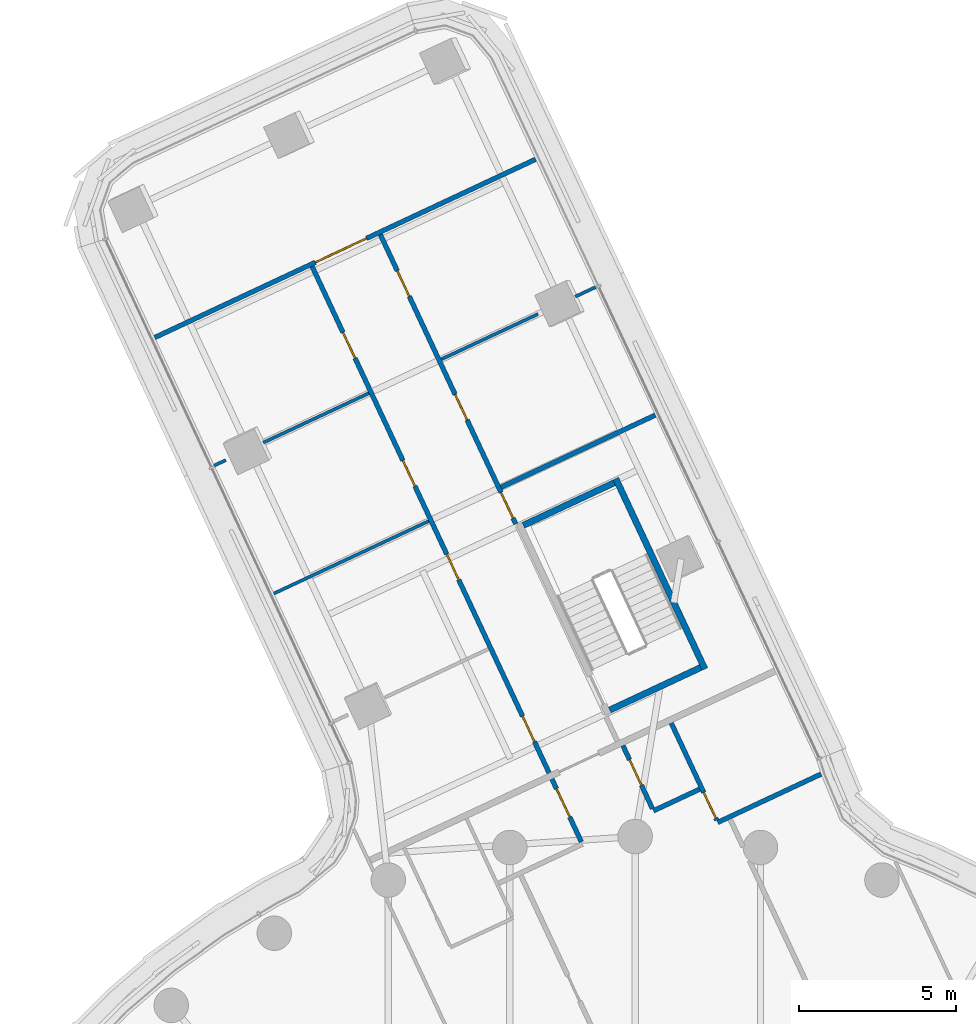
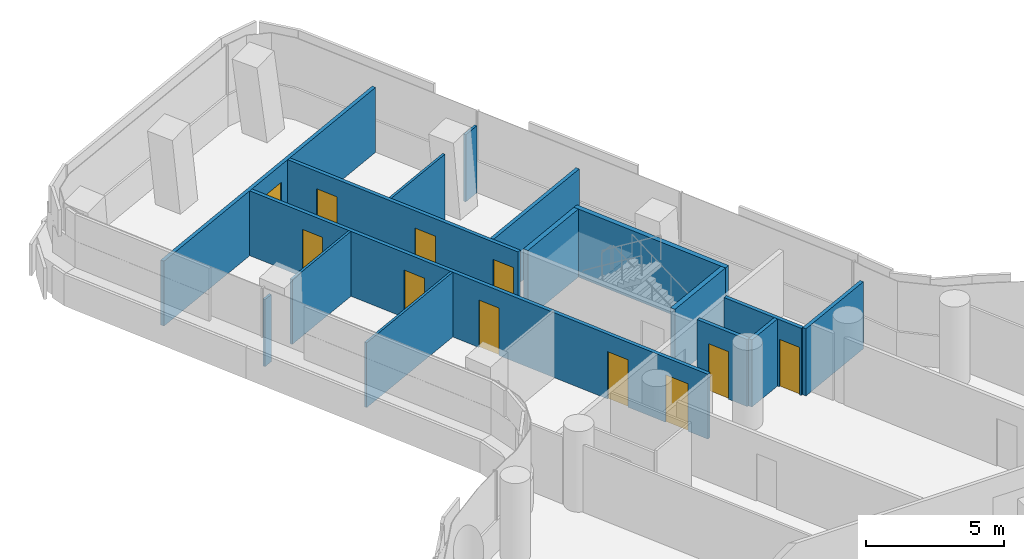
# One storey, part 27 of 36: 16 walls, 11 doors, 11 openings.
"""IFC4 building model written with IfcOpenShell, lengths in metres."""

from ifc_helpers import new_model, si_unit, direction, frame, frame_2d, origin, place, context, subcontext, project, spatial, polyline, rectangle, outline, extrude, material, layer, layer_set, type_object, element, fill, save


model = new_model("IFC4")

# Units and contexts
model_context = context("Model", 3, precision=1e-05, world=origin(), true_north=direction((0.0, 1.0)))
body_context = subcontext(model_context, "Body", "Model", "MODEL_VIEW")
ifc_project = project(units=[si_unit("LENGTHUNIT", "METRE"), si_unit("AREAUNIT", "SQUARE_METRE"), si_unit("VOLUMEUNIT", "CUBIC_METRE"), si_unit("PLANEANGLEUNIT", "RADIAN"), si_unit("MASSUNIT", "GRAM", prefix="KILO")], contexts=[model_context])

# Site, building, storey
site_placement = place(None, origin())
site = spatial("IfcSite", under=ifc_project, at=site_placement, CompositionType="ELEMENT")
building_placement = place(site_placement, origin())
building = spatial("IfcBuilding", under=site, at=building_placement, Name="Tamarind Cross Interchange Tower", CompositionType="ELEMENT")
storey_placement = place(building_placement, frame((0.0, 0.0, 124.75)))
storey = spatial("IfcBuildingStorey", under=building, at=storey_placement, Name="L30", CompositionType="ELEMENT", Elevation=124.75)

# Walls
ifc_material_1 = material(Name="Gypsum board partition on steel studs", Category="steel")
ifc_layer_1 = layer(ifc_material_1, 0.10009765625)
ifc_layer_set_1 = layer_set([ifc_layer_1], Name="Gypsum board partition on steel studs")
wall_type_1 = type_object("IfcWallType", Name="Partition 100 mm EI 90", PredefinedType="PARTITIONING", material=ifc_layer_set_1)
wall_1_placement = place(storey_placement, frame((-13.412841796875, 34.82470703125, 0.0), z_axis=(0.0, 0.0, 1.0), x_axis=(0.905846575119, 0.423605928127, 0.0)))
element("IfcWall", 1, at=wall_1_placement, inside=storey, type_object=wall_type_1, Name="Partition L30-051", PredefinedType="PARTITIONING", context=body_context, shape_type="SweptSolid", body=[
    extrude(rectangle(XDim=0.407958984375, YDim=0.10009765625, at=frame_2d((0.2041015625, 0.0))), origin(), (0.0, 0.0, 1.0), 2.969970703125),
])
wall_2_placement = place(storey_placement, frame((-11.852294921875, 35.5546875, 0.0), z_axis=(0.0, 0.0, 1.0), x_axis=(0.905779849786, 0.423748585511, 0.0)))
element("IfcWall", 2, at=wall_2_placement, inside=storey, type_object=wall_type_1, Name="Partition L30-052", PredefinedType="PARTITIONING", context=body_context, shape_type="SweptSolid", body=[
    extrude(rectangle(XDim=3.715576171875, YDim=0.10009765625, at=frame_2d((1.85791015625, 0.0))), origin(), (0.0, 0.0, 1.0), 2.8701171875),
])
wall_3_placement = place(storey_placement, frame((-6.177001953125, 38.2099609375, 0.0), z_axis=(0.0, 0.0, 1.0), x_axis=(0.905768212008, 0.423773460845, 0.0)))
element("IfcWall", 3, at=wall_3_placement, inside=storey, type_object=wall_type_1, Name="Partition L30-053", PredefinedType="PARTITIONING", context=body_context, shape_type="SweptSolid", body=[
    extrude(rectangle(XDim=3.40087890625, YDim=0.10009765625, at=frame_2d((1.700439453125, 0.0))), origin(), (0.0, 0.0, 1.0), 2.8701171875),
])
wall_4_placement = place(storey_placement, frame((-1.906005859375, 40.208251953125, 0.0), z_axis=(0.0, 0.0, 1.0), x_axis=(0.905769019078, 0.423771735818, 0.0)))
element("IfcWall", 4, at=wall_4_placement, inside=storey, type_object=wall_type_1, Name="Partition L30-054", PredefinedType="PARTITIONING", context=body_context, shape_type="SweptSolid", body=[
    extrude(rectangle(XDim=0.708740234375, YDim=0.10009765625, at=frame_2d((0.3544921875, 0.0))), origin(), (0.0, 0.0, 1.0), 2.969970703125),
])
wall_5_placement = place(storey_placement, frame((-11.51318359375, 30.745361328125, 0.0), z_axis=(0.0, 0.0, 1.0), x_axis=(0.905786512013, 0.423734344438, 0.0)))
element("IfcWall", 5, at=wall_5_placement, inside=storey, type_object=wall_type_1, Name="Partition L30-056", PredefinedType="PARTITIONING", context=body_context, shape_type="SweptSolid", body=[
    extrude(rectangle(XDim=5.446533203125, YDim=0.10009765625, at=frame_2d((2.72314453125, 0.0))), origin(), (0.0, 0.0, 1.0), 2.8701171875),
])

# Wall, openings, doors
ifc_layer_2 = layer(ifc_material_1, 0.14990234375)
ifc_layer_set_2 = layer_set([ifc_layer_2], Name="Gypsum board partition on steel studs")
wall_type_2 = type_object("IfcWallType", Name="Partition 150 mm EI 120", PredefinedType="PARTITIONING", material=ifc_layer_set_2)
wall_6_placement = place(storey_placement, frame((-10.294189453125, 41.169189453125, 0.0), z_axis=(0.0, 0.0, 1.0), x_axis=(0.423769207005, -0.905770202201, 0.0)))
wall_6 = element("IfcWall", 6, at=wall_6_placement, inside=storey, type_object=wall_type_2, Name="Partition L30-008", PredefinedType="PARTITIONING", context=body_context, shape_type="SweptSolid", body=[
    extrude(rectangle(XDim=20.245849609375, YDim=0.14990234375, at=frame_2d((10.123046875, 0.0))), origin(), (0.0, 0.0, 1.0), 2.8701171875),
])
opening_1_placement = place(wall_6_placement, frame((18.37548828125, 0.0, 0.0)))
opening_1 = element("IfcOpeningElement", 7, at=opening_1_placement, cuts=wall_6, Name="Opening D03", PredefinedType="OPENING", context=body_context, shape_type="SweptSolid", body=[
    extrude(rectangle(XDim=1.0, YDim=2.10009765625, at=frame_2d((0.5, 1.050048828125))), frame((0.0, 0.0849609375, 0.0), z_axis=(0.0, -1.0, 0.0), x_axis=(1.0, 0.0, 0.0)), (0.0, 0.0, 1.0), 0.169921875),
])
opening_2_placement = place(wall_6_placement, frame((15.8251953125, 0.0, 0.0)))
opening_2 = element("IfcOpeningElement", 8, at=opening_2_placement, cuts=wall_6, Name="Opening D04", PredefinedType="OPENING", context=body_context, shape_type="SweptSolid", body=[
    extrude(rectangle(XDim=0.89990234375, YDim=2.10009765625, at=frame_2d((0.449951171875, 1.050048828125))), frame((0.0, 0.0849609375, 0.0), z_axis=(0.0, -1.0, 0.0), x_axis=(1.0, 0.0, 0.0)), (0.0, 0.0, 1.0), 0.169921875),
])
opening_3_placement = place(wall_6_placement, frame((10.125, 0.0, 0.0)))
opening_3 = element("IfcOpeningElement", 9, at=opening_3_placement, cuts=wall_6, Name="Opening D05", PredefinedType="OPENING", context=body_context, shape_type="SweptSolid", body=[
    extrude(rectangle(XDim=0.89990234375, YDim=2.10009765625, at=frame_2d((0.449951171875, 1.050048828125))), frame((0.0, 0.0849609375, 0.0), z_axis=(0.0, -1.0, 0.0), x_axis=(1.0, 0.0, 0.0)), (0.0, 0.0, 1.0), 0.169921875),
])
opening_4_placement = place(wall_6_placement, frame((6.824951171875, 0.0, 0.0)))
opening_4 = element("IfcOpeningElement", 10, at=opening_4_placement, cuts=wall_6, Name="Opening D06", PredefinedType="OPENING", context=body_context, shape_type="SweptSolid", body=[
    extrude(rectangle(XDim=0.89990234375, YDim=2.10009765625, at=frame_2d((0.449951171875, 1.050048828125))), frame((0.0, 0.0849609375, 0.0), z_axis=(0.0, -1.0, 0.0), x_axis=(1.0, 0.0, 0.0)), (0.0, 0.0, 1.0), 0.169921875),
])
opening_5_placement = place(wall_6_placement, frame((2.324951171875, 0.0, 0.0)))
opening_5 = element("IfcOpeningElement", 11, at=opening_5_placement, cuts=wall_6, Name="Opening D07", PredefinedType="OPENING", context=body_context, shape_type="SweptSolid", body=[
    extrude(rectangle(XDim=0.89990234375, YDim=2.10009765625, at=frame_2d((0.449951171875, 1.050048828125))), frame((0.0, 0.0849609375, 0.0), z_axis=(0.0, -1.0, 0.0), x_axis=(1.0, 0.0, 0.0)), (0.0, 0.0, 1.0), 0.169921875),
])
ifc_material_2 = material(Name="Fire-resisting door set")
door_type_1 = type_object("IfcDoorType", Name="Interior door 1000 x 2100 FD60S", OperationType="SINGLE_SWING_LEFT", PredefinedType="DOOR", material=ifc_material_2)
door_1_placement = place(opening_1_placement, frame((1.0, 0.0, 0.0), z_axis=(0.0, 0.0, 1.0), x_axis=(-1.0, 0.0, 0.0)))
door_1 = element("IfcDoor", 12, at=door_1_placement, inside=storey, type_object=door_type_1, Name="Door D03", OperationType="SINGLE_SWING_RIGHT", OverallHeight=2.10009765625, OverallWidth=1.0, PredefinedType="DOOR", context=body_context, shape_type="SweptSolid", body=[
    extrude(rectangle(XDim=1.0, YDim=2.10009765625, at=frame_2d((0.5, 1.050048828125))), frame((0.0, 0.02490234375, 0.0), z_axis=(0.0, -1.0, 0.0), x_axis=(1.0, 0.0, 0.0)), (0.0, 0.0, 1.0), 0.050048828125),
])
fill(opening_1, door_1)
door_type_2 = type_object("IfcDoorType", Name="Interior door 900 x 2100 FD60S", OperationType="SINGLE_SWING_LEFT", PredefinedType="DOOR", material=ifc_material_2)
door_2_placement = place(opening_2_placement, frame((0.89990234375, 0.0, 0.0), z_axis=(0.0, 0.0, 1.0), x_axis=(-1.0, 0.0, 0.0)))
door_2 = element("IfcDoor", 13, at=door_2_placement, inside=storey, type_object=door_type_2, Name="Door D04", OperationType="SINGLE_SWING_RIGHT", OverallHeight=2.10009765625, OverallWidth=0.89990234375, PredefinedType="DOOR", context=body_context, shape_type="SweptSolid", body=[
    extrude(rectangle(XDim=0.89990234375, YDim=2.10009765625, at=frame_2d((0.449951171875, 1.050048828125))), frame((0.0, 0.02490234375, 0.0), z_axis=(0.0, -1.0, 0.0), x_axis=(1.0, 0.0, 0.0)), (0.0, 0.0, 1.0), 0.050048828125),
])
fill(opening_2, door_2)
door_3_placement = place(opening_3_placement, frame((0.89990234375, 0.0, 0.0), z_axis=(0.0, 0.0, 1.0), x_axis=(-1.0, 0.0, 0.0)))
door_3 = element("IfcDoor", 14, at=door_3_placement, inside=storey, type_object=door_type_2, Name="Door D05", OperationType="SINGLE_SWING_RIGHT", OverallHeight=2.10009765625, OverallWidth=0.89990234375, PredefinedType="DOOR", context=body_context, shape_type="SweptSolid", body=[
    extrude(rectangle(XDim=0.89990234375, YDim=2.10009765625, at=frame_2d((0.449951171875, 1.050048828125))), frame((0.0, 0.02490234375, 0.0), z_axis=(0.0, -1.0, 0.0), x_axis=(1.0, 0.0, 0.0)), (0.0, 0.0, 1.0), 0.050048828125),
])
fill(opening_3, door_3)
door_4_placement = place(opening_4_placement, frame((0.89990234375, 0.0, 0.0), z_axis=(0.0, 0.0, 1.0), x_axis=(-1.0, 0.0, 0.0)))
door_4 = element("IfcDoor", 15, at=door_4_placement, inside=storey, type_object=door_type_2, Name="Door D06", OperationType="SINGLE_SWING_LEFT", OverallHeight=2.10009765625, OverallWidth=0.89990234375, PredefinedType="DOOR", context=body_context, shape_type="SweptSolid", body=[
    extrude(rectangle(XDim=0.89990234375, YDim=2.10009765625, at=frame_2d((0.449951171875, 1.050048828125))), frame((0.0, 0.02490234375, 0.0), z_axis=(0.0, -1.0, 0.0), x_axis=(1.0, 0.0, 0.0)), (0.0, 0.0, 1.0), 0.050048828125),
])
fill(opening_4, door_4)
door_5_placement = place(opening_5_placement, frame((0.89990234375, 0.0, 0.0), z_axis=(0.0, 0.0, 1.0), x_axis=(-1.0, 0.0, 0.0)))
door_5 = element("IfcDoor", 16, at=door_5_placement, inside=storey, type_object=door_type_2, Name="Door D07", OperationType="SINGLE_SWING_LEFT", OverallHeight=2.10009765625, OverallWidth=0.89990234375, PredefinedType="DOOR", context=body_context, shape_type="SweptSolid", body=[
    extrude(rectangle(XDim=0.89990234375, YDim=2.10009765625, at=frame_2d((0.449951171875, 1.050048828125))), frame((0.0, 0.02490234375, 0.0), z_axis=(0.0, -1.0, 0.0), x_axis=(1.0, 0.0, 0.0)), (0.0, 0.0, 1.0), 0.050048828125),
])
fill(opening_5, door_5)

wall_7_placement = place(storey_placement, frame((-8.1201171875, 42.18603515625, 0.0), z_axis=(0.0, 0.0, 1.0), x_axis=(0.423753940866, -0.905777344385, 0.0)))
wall_7 = element("IfcWall", 17, at=wall_7_placement, inside=storey, type_object=wall_type_2, Name="Partition L30-013", PredefinedType="PARTITIONING", context=body_context, shape_type="SweptSolid", body=[
    extrude(rectangle(XDim=10.185546875, YDim=0.14990234375, at=frame_2d((5.0927734375, 0.0))), origin(), (0.0, 0.0, 1.0), 2.8701171875),
])
opening_6_placement = place(wall_7_placement, frame((5.625, 0.0, 0.0)))
opening_6 = element("IfcOpeningElement", 18, at=opening_6_placement, cuts=wall_7, Name="Opening D09", PredefinedType="OPENING", context=body_context, shape_type="SweptSolid", body=[
    extrude(rectangle(XDim=0.89990234375, YDim=2.10009765625, at=frame_2d((0.449951171875, 1.050048828125))), frame((0.0, 0.0849609375, 0.0), z_axis=(0.0, -1.0, 0.0), x_axis=(1.0, 0.0, 0.0)), (0.0, 0.0, 1.0), 0.169921875),
])
opening_7_placement = place(wall_7_placement, frame((1.27490234375, 0.0, 0.0)))
opening_7 = element("IfcOpeningElement", 19, at=opening_7_placement, cuts=wall_7, Name="Opening D10", PredefinedType="OPENING", context=body_context, shape_type="SweptSolid", body=[
    extrude(rectangle(XDim=0.89990234375, YDim=2.10009765625, at=frame_2d((0.449951171875, 1.050048828125))), frame((0.0, 0.0849609375, 0.0), z_axis=(0.0, -1.0, 0.0), x_axis=(1.0, 0.0, 0.0)), (0.0, 0.0, 1.0), 0.169921875),
])
opening_8_placement = place(wall_7_placement, frame((9.0751953125, 0.0, 0.0)))
opening_8 = element("IfcOpeningElement", 20, at=opening_8_placement, cuts=wall_7, Name="Opening D11", PredefinedType="OPENING", context=body_context, shape_type="SweptSolid", body=[
    extrude(rectangle(XDim=0.89990234375, YDim=2.10009765625, at=frame_2d((0.449951171875, 1.050048828125))), frame((0.0, 0.0849609375, 0.0), z_axis=(0.0, -1.0, 0.0), x_axis=(1.0, 0.0, 0.0)), (0.0, 0.0, 1.0), 0.169921875),
])
door_6_placement = place(opening_6_placement, origin())
door_6 = element("IfcDoor", 21, at=door_6_placement, inside=storey, type_object=door_type_2, Name="Door D09", OperationType="SINGLE_SWING_LEFT", OverallHeight=2.10009765625, OverallWidth=0.89990234375, PredefinedType="DOOR", context=body_context, shape_type="SweptSolid", body=[
    extrude(rectangle(XDim=0.89990234375, YDim=2.10009765625, at=frame_2d((0.449951171875, 1.050048828125))), frame((0.0, 0.02490234375, 0.0), z_axis=(0.0, -1.0, 0.0), x_axis=(1.0, 0.0, 0.0)), (0.0, 0.0, 1.0), 0.050048828125),
])
fill(opening_6, door_6)
door_7_placement = place(opening_7_placement, origin())
door_7 = element("IfcDoor", 22, at=door_7_placement, inside=storey, type_object=door_type_2, Name="Door D10", OperationType="SINGLE_SWING_RIGHT", OverallHeight=2.10009765625, OverallWidth=0.89990234375, PredefinedType="DOOR", context=body_context, shape_type="SweptSolid", body=[
    extrude(rectangle(XDim=0.89990234375, YDim=2.10009765625, at=frame_2d((0.449951171875, 1.050048828125))), frame((0.0, 0.02490234375, 0.0), z_axis=(0.0, -1.0, 0.0), x_axis=(1.0, 0.0, 0.0)), (0.0, 0.0, 1.0), 0.050048828125),
])
fill(opening_7, door_7)
door_8_placement = place(opening_8_placement, origin())
door_8 = element("IfcDoor", 23, at=door_8_placement, inside=storey, type_object=door_type_2, Name="Door D11", OperationType="SINGLE_SWING_LEFT", OverallHeight=2.10009765625, OverallWidth=0.89990234375, PredefinedType="DOOR", context=body_context, shape_type="SweptSolid", body=[
    extrude(rectangle(XDim=0.89990234375, YDim=2.10009765625, at=frame_2d((0.449951171875, 1.050048828125))), frame((0.0, 0.02490234375, 0.0), z_axis=(0.0, -1.0, 0.0), x_axis=(1.0, 0.0, 0.0)), (0.0, 0.0, 1.0), 0.050048828125),
])
fill(opening_8, door_8)

# Wall, opening, door
wall_8_placement = place(storey_placement, frame((-0.388427734375, 25.89794921875, 0.0), z_axis=(0.0, 0.0, 1.0), x_axis=(0.423693860777, -0.905805449498, 0.0)))
wall_8 = element("IfcWall", 24, at=wall_8_placement, inside=storey, type_object=wall_type_2, Name="Partition L30-020", PredefinedType="PARTITIONING", context=body_context, shape_type="SweptSolid", body=[
    extrude(rectangle(XDim=2.215087890625, YDim=0.14990234375, at=frame_2d((1.107421875, 0.0))), origin(), (0.0, 0.0, 1.0), 2.969970703125),
])
opening_9_placement = place(wall_8_placement, frame((0.4951171875, 0.0, 0.0)))
opening_9 = element("IfcOpeningElement", 25, at=opening_9_placement, cuts=wall_8, Name="Opening D15", PredefinedType="OPENING", context=body_context, shape_type="SweptSolid", body=[
    extrude(rectangle(XDim=0.89990234375, YDim=2.10009765625, at=frame_2d((0.449951171875, 1.050048828125))), frame((0.0, 0.0849609375, 0.0), z_axis=(0.0, -1.0, 0.0), x_axis=(1.0, 0.0, 0.0)), (0.0, 0.0, 1.0), 0.169921875),
])
door_9_placement = place(opening_9_placement, origin())
door_9 = element("IfcDoor", 26, at=door_9_placement, inside=storey, type_object=door_type_2, Name="Door D15", OperationType="SINGLE_SWING_RIGHT", OverallHeight=2.10009765625, OverallWidth=0.89990234375, PredefinedType="DOOR", context=body_context, shape_type="SweptSolid", body=[
    extrude(rectangle(XDim=0.89990234375, YDim=2.10009765625, at=frame_2d((0.449951171875, 1.050048828125))), frame((0.0, 0.02490234375, 0.0), z_axis=(0.0, -1.0, 0.0), x_axis=(1.0, 0.0, 0.0)), (0.0, 0.0, 1.0), 0.050048828125),
])
fill(opening_9, door_9)

wall_9_placement = place(storey_placement, frame((1.151611328125, 26.617919921875, 0.0), z_axis=(0.0, 0.0, 1.0), x_axis=(0.423667153788, -0.905817941311, 0.0)))
wall_9 = element("IfcWall", 27, at=wall_9_placement, inside=storey, type_object=wall_type_2, Name="Partition L30-023", PredefinedType="PARTITIONING", context=body_context, shape_type="SweptSolid", body=[
    extrude(rectangle(XDim=3.4189453125, YDim=0.14990234375, at=frame_2d((1.70947265625, 0.0))), origin(), (0.0, 0.0, 1.0), 2.969970703125),
])
opening_10_placement = place(wall_9_placement, frame((2.444091796875, 0.0, 0.0)))
opening_10 = element("IfcOpeningElement", 28, at=opening_10_placement, cuts=wall_9, Name="Opening D17", PredefinedType="OPENING", context=body_context, shape_type="SweptSolid", body=[
    extrude(rectangle(XDim=0.89990234375, YDim=2.10009765625, at=frame_2d((0.449951171875, 1.050048828125))), frame((0.0, 0.0849609375, 0.0), z_axis=(0.0, -1.0, 0.0), x_axis=(1.0, 0.0, 0.0)), (0.0, 0.0, 1.0), 0.169921875),
])
door_10_placement = place(opening_10_placement, origin())
door_10 = element("IfcDoor", 29, at=door_10_placement, inside=storey, type_object=door_type_2, Name="Door D17", OperationType="SINGLE_SWING_LEFT", OverallHeight=2.10009765625, OverallWidth=0.89990234375, PredefinedType="DOOR", context=body_context, shape_type="SweptSolid", body=[
    extrude(rectangle(XDim=0.89990234375, YDim=2.10009765625, at=frame_2d((0.449951171875, 1.050048828125))), frame((0.0, 0.02490234375, 0.0), z_axis=(0.0, -1.0, 0.0), x_axis=(1.0, 0.0, 0.0)), (0.0, 0.0, 1.0), 0.050048828125),
])
fill(opening_10, door_10)

wall_10_placement = place(storey_placement, frame((-15.312255859375, 38.9033203125, 0.0), z_axis=(0.0, 0.0, 1.0), x_axis=(0.905714478496, 0.423888291231, 0.0)))
wall_10 = element("IfcWall", 30, at=wall_10_placement, inside=storey, type_object=wall_type_2, Name="Partition L30-050", PredefinedType="PARTITIONING", context=body_context, shape_type="SweptSolid", body=[
    extrude(rectangle(XDim=13.404296875, YDim=0.14990234375, at=frame_2d((6.7021484375, 0.0))), origin(), (0.0, 0.0, 1.0), 2.8701171875),
])
opening_11_placement = place(wall_10_placement, frame((5.655517578125, 0.0, 0.0)))
opening_11 = element("IfcOpeningElement", 31, at=opening_11_placement, cuts=wall_10, Name="Opening D33", PredefinedType="OPENING", context=body_context, shape_type="SweptSolid", body=[
    extrude(rectangle(XDim=1.800048828125, YDim=2.10009765625, at=frame_2d((0.89990234375, 1.050048828125))), frame((0.0, 0.0849609375, 0.0), z_axis=(0.0, -1.0, 0.0), x_axis=(1.0, 0.0, 0.0)), (0.0, 0.0, 1.0), 0.169921875),
])
door_type_3 = type_object("IfcDoorType", Name="Interior door 1800 x 2100 FD60S", OperationType="DOUBLE_DOOR_SINGLE_SWING", PredefinedType="DOOR", material=ifc_material_2)
door_11_placement = place(opening_11_placement, origin())
door_11 = element("IfcDoor", 32, at=door_11_placement, inside=storey, type_object=door_type_3, Name="Door D33", OperationType="DOUBLE_DOOR_SINGLE_SWING", OverallHeight=2.10009765625, OverallWidth=1.800048828125, PredefinedType="DOOR", context=body_context, shape_type="SweptSolid", body=[
    extrude(rectangle(XDim=1.800048828125, YDim=2.10009765625, at=frame_2d((0.89990234375, 1.050048828125))), frame((0.0, 0.02490234375, 0.0), z_axis=(0.0, -1.0, 0.0), x_axis=(1.0, 0.0, 0.0)), (0.0, 0.0, 1.0), 0.050048828125),
])
fill(opening_11, door_11)

# Walls
wall_11_placement = place(storey_placement, frame((-4.27001953125, 34.1337890625, 0.0), z_axis=(0.0, 0.0, 1.0), x_axis=(0.905772206223, 0.423764923553, 0.0)))
element("IfcWall", 33, at=wall_11_placement, inside=storey, type_object=wall_type_2, Name="Partition L30-057", PredefinedType="PARTITIONING", context=body_context, shape_type="SweptSolid", body=[
    extrude(rectangle(XDim=5.42431640625, YDim=0.14990234375, at=frame_2d((2.712158203125, 0.0))), origin(), (0.0, 0.0, 1.0), 2.8701171875),
])
wall_12_placement = place(storey_placement, frame((2.633056640625, 23.450927734375, 0.0), z_axis=(0.0, 0.0, 1.0), x_axis=(0.905831155587, 0.42363889997, 0.0)))
element("IfcWall", 34, at=wall_12_placement, inside=storey, type_object=wall_type_2, Name="Partition L30-062", PredefinedType="PARTITIONING", context=body_context, shape_type="SweptSolid", body=[
    extrude(rectangle(XDim=3.6357421875, YDim=0.14990234375, at=frame_2d((1.81787109375, 0.0))), origin(), (0.0, 0.0, 1.0), 2.969970703125),
])
wall_13_placement = place(storey_placement, frame((0.58349609375, 23.820068359375, 0.0), z_axis=(0.0, 0.0, 1.0), x_axis=(0.905668132329, 0.423987304153, 0.0)))
element("IfcWall", 35, at=wall_13_placement, inside=storey, type_object=wall_type_2, Name="Partition L30-065", PredefinedType="PARTITIONING", context=body_context, shape_type="SweptSolid", body=[
    extrude(rectangle(XDim=1.625, YDim=0.14990234375, at=frame_2d((0.8125, 0.0))), origin(), (0.0, 0.0, 1.0), 2.969970703125),
])
ifc_material_3 = material(Name="Concrete C40", Category="concrete")
ifc_layer_3 = layer(ifc_material_3, 0.199951171875)
ifc_layer_set_3 = layer_set([ifc_layer_3], Name="Concrete C40")
wall_type_3 = type_object("IfcWallType", Name="Stair shaft wall 200 mm Concrete C40", PredefinedType="SHEAR", material=ifc_layer_set_3)
wall_14_placement = place(storey_placement, frame((2.222900390625, 28.339599609375, -0.139892578125), z_axis=(0.0, 0.0, 1.0), x_axis=(-0.423828808535, 0.90574231493, 0.0)))
element("IfcWall", 36, at=wall_14_placement, inside=storey, type_object=wall_type_3, Name="Core wall CWL-L30-ST4-C", PredefinedType="SHEAR", context=body_context, shape_type="SweptSolid", body=[
    extrude(rectangle(XDim=6.699951171875, YDim=0.199951171875, at=frame_2d((3.35009765625, 0.0))), origin(), (0.0, 0.0, 1.0), 3.010009765625),
])
wall_15_placement = place(storey_placement, frame((2.08984375, 28.3876953125, -0.139892578125), z_axis=(0.0, 0.0, 1.0), x_axis=(-0.905751920053, -0.423808281325, 0.0)))
element("IfcWall", 37, at=wall_15_placement, inside=storey, type_object=wall_type_3, Name="Core wall CWL-L30-ST4-CE", PredefinedType="SHEAR", context=body_context, shape_type="SweptSolid", body=[
    extrude(rectangle(XDim=3.199951171875, YDim=0.199951171875, at=frame_2d((1.60009765625, 0.0))), origin(), (0.0, 0.0, 1.0), 3.010009765625),
])
wall_16_placement = place(storey_placement, frame((0.0, 0.0, -0.139892578125)))
element("IfcWall", 38, at=wall_16_placement, inside=storey, type_object=wall_type_3, Name="Core wall CWL-L30-ST4-CF", PredefinedType="SHEAR", context=body_context, shape_type="SweptSolid", body=[
    extrude(outline(polyline([(-0.62255859375, 34.1845703125), (-0.707275390625, 34.36572265625), (-3.605712890625, 33.009521484375), (-3.52099609375, 32.828369140625), (-0.62255859375, 34.1845703125)])), origin(), (0.0, 0.0, 1.0), 3.010009765625),
])

save(model, "model.ifc")
